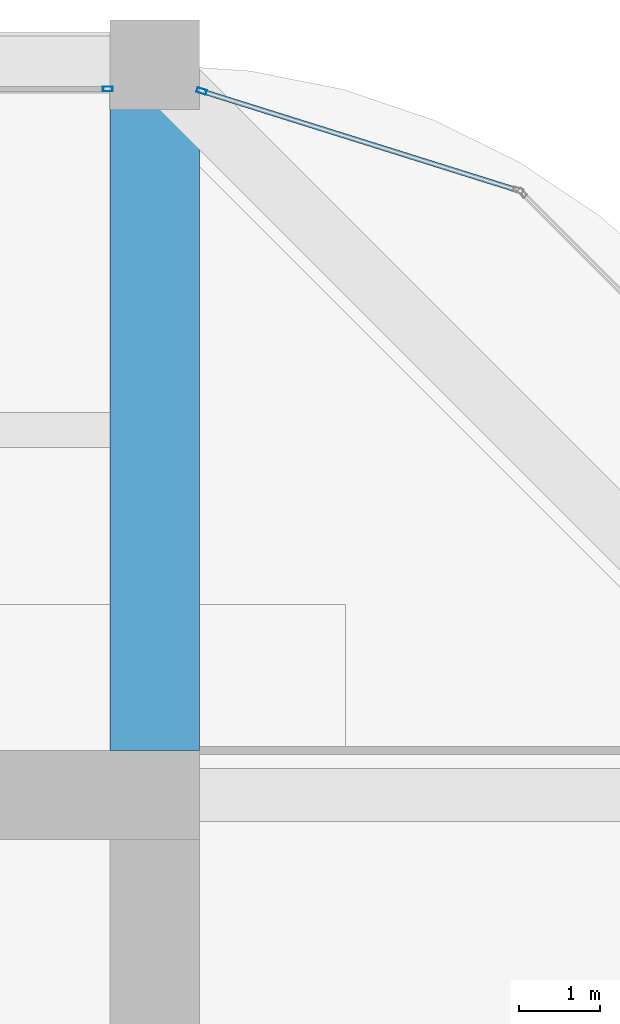
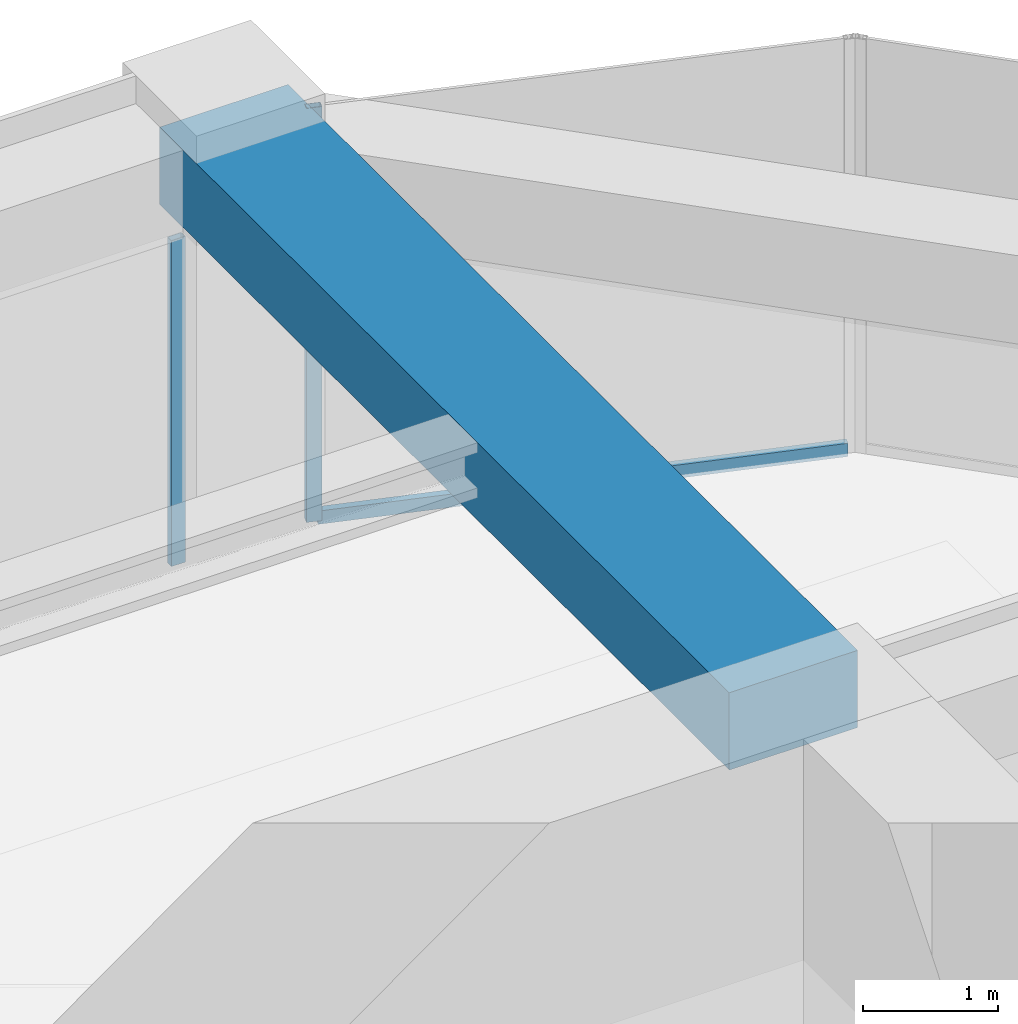
# One storey, part 37 of 44: 3 members, 1 beam, 2 elements without a shape of their own.
"""IFC4 building model written with IfcOpenShell, lengths in metres."""

from ifc_helpers import new_model, si_unit, direction, frame, origin, origin_2d, place, context, subcontext, project, spatial, rectangle, hollow_rectangle, extrude, material, material_profile, profile_set, type_object, element, aggregate, save


model = new_model("IFC4")

# Units and contexts
model_context = context("Model", 3, precision=1e-05, world=origin(), true_north=direction((0.0, 1.0)))
body_context = subcontext(model_context, "Body", "Model", "MODEL_VIEW")
ifc_project = project(units=[si_unit("LENGTHUNIT", "METRE"), si_unit("AREAUNIT", "SQUARE_METRE"), si_unit("VOLUMEUNIT", "CUBIC_METRE"), si_unit("PLANEANGLEUNIT", "RADIAN"), si_unit("MASSUNIT", "GRAM", prefix="KILO")], contexts=[model_context])

# Site, building, storey
site_placement = place(None, origin())
site = spatial("IfcSite", under=ifc_project, at=site_placement, CompositionType="ELEMENT")
building_placement = place(site_placement, origin())
building = spatial("IfcBuilding", under=site, at=building_placement, Name="Zorevar Civic Tower", CompositionType="ELEMENT")
storey_placement = place(building_placement, frame((0.0, 0.0, 263.39990234375)))
storey = spatial("IfcBuildingStorey", under=building, at=storey_placement, Name="L64", CompositionType="ELEMENT", Elevation=263.39990234375)

# Beam
ifc_material_1 = material(Name="Concrete C50/60", Category="concrete")
ifc_material_profile_1 = material_profile(ifc_material_1, rectangle(XDim=1.10009765625, YDim=0.699951171875, at=origin_2d()), Name="RC 1100x700")
ifc_profile_set_1 = profile_set([ifc_material_profile_1], Name="Concrete C50/60")
beam_type = type_object("IfcBeamType", Name="Beam RC 1100x700", PredefinedType="BEAM", material=ifc_profile_set_1)
beam_placement = place(storey_placement, frame((45.0, 36.550048828125, 3.400146484375), z_axis=(0.0, 1.0, 0.0), x_axis=(-1.0, 0.0, 0.0)))
element("IfcBeam", 1, at=beam_placement, inside=storey, type_object=beam_type, Name="Girder L65", PredefinedType="BEAM", context=body_context, shape_type="SweptSolid", body=[
    extrude(rectangle(XDim=1.10009765625, YDim=0.699951171875, at=origin_2d()), origin(), (0.0, 0.0, 1.0), 8.449951171875),
])

# Curtain wall, member
ifc_material_2 = material(Name="Dark grey solar-control glass in black aluminium frame", Category="aluminium")
curtain_wall_type = type_object("IfcCurtainWallType", Name="Curtain wall CW5 top zone", PredefinedType="NOTDEFINED", material=ifc_material_2)
curtain_wall_1_placement = place(storey_placement, origin())
curtain_wall_1 = element("IfcCurtainWall", 2, at=curtain_wall_1_placement, inside=storey, type_object=curtain_wall_type, Name="CW5 L64", PredefinedType="NOTDEFINED")
ifc_material_3 = material(Name="Aluminium, black anodised", Category="aluminium")
ifc_material_profile_2 = material_profile(ifc_material_3, hollow_rectangle(XDim=0.06005859375, YDim=0.1201171875, WallThickness=0.0029296875, at=origin_2d()), Name="AL 120x60x3")
ifc_profile_set_2 = profile_set([ifc_material_profile_2], Name="Aluminium, black anodised")
member_type_1 = type_object("IfcMemberType", Name="CW5 mullion AL 120x60x3", PredefinedType="MULLION", material=ifc_profile_set_2)
member_1_placement = place(storey_placement, frame((44.419921875, 44.699951171875, 0.0), z_axis=(0.0, 0.0, 1.0), x_axis=(0.0, 1.0, 0.0)))
member_1 = element("IfcMember", 3, at=member_1_placement, type_object=member_type_1, Name="CW5 mullion 3", PredefinedType="MULLION", context=body_context, shape_type="SweptSolid", body=[
    extrude(hollow_rectangle(XDim=0.06005859375, YDim=0.1201171875, WallThickness=0.0029296875, at=origin_2d()), origin(), (0.0, 0.0, 1.0), 2.9501953125),
])
aggregate(curtain_wall_1, [member_1])

# Curtain wall, members
curtain_wall_2_placement = place(storey_placement, origin())
curtain_wall_2 = element("IfcCurtainWall", 4, at=curtain_wall_2_placement, inside=storey, type_object=curtain_wall_type, Name="CW5 L64", PredefinedType="NOTDEFINED")
member_2_placement = place(storey_placement, frame((45.57861328125, 44.673583984375, 0.0), z_axis=(0.0, 0.0, 1.0), x_axis=(-0.299317920238, -0.954153437674, 0.0)))
member_2 = element("IfcMember", 5, at=member_2_placement, type_object=member_type_1, Name="CW5 mullion 2", PredefinedType="MULLION", context=body_context, shape_type="SweptSolid", body=[
    extrude(hollow_rectangle(XDim=0.06005859375, YDim=0.1201171875, WallThickness=0.0029296875, at=origin_2d()), origin(), (0.0, 0.0, 1.0), 3.75),
])
ifc_material_4 = material(Name="Aluminium, black anodised", Category="aluminium")
ifc_material_profile_3 = material_profile(ifc_material_4, hollow_rectangle(XDim=0.06005859375, YDim=0.1201171875, WallThickness=0.0029296875, at=origin_2d()), Name="AL 120x60x3")
ifc_profile_set_3 = profile_set([ifc_material_profile_3], Name="Aluminium, black anodised")
member_type_2 = type_object("IfcMemberType", Name="CW5 transom AL 120x60x3", PredefinedType="USERDEFINED", material=ifc_profile_set_3)
member_3_placement = place(storey_placement, frame((49.45068359375, 43.458984375, 0.030029296875), z_axis=(-0.954163457351, 0.299285978047, 0.0), x_axis=(-0.299285978047, -0.954163457351, 0.0)))
member_3 = element("IfcMember", 6, at=member_3_placement, type_object=member_type_2, Name="CW5 sill transom", ObjectType="TRANSOM", PredefinedType="USERDEFINED", context=body_context, shape_type="SweptSolid", body=[
    extrude(hollow_rectangle(XDim=0.06005859375, YDim=0.1201171875, WallThickness=0.0029296875, at=origin_2d()), origin(), (0.0, 0.0, 1.0), 4.028076171875),
])
aggregate(curtain_wall_2, [member_2, member_3])

save(model, "model.ifc")
